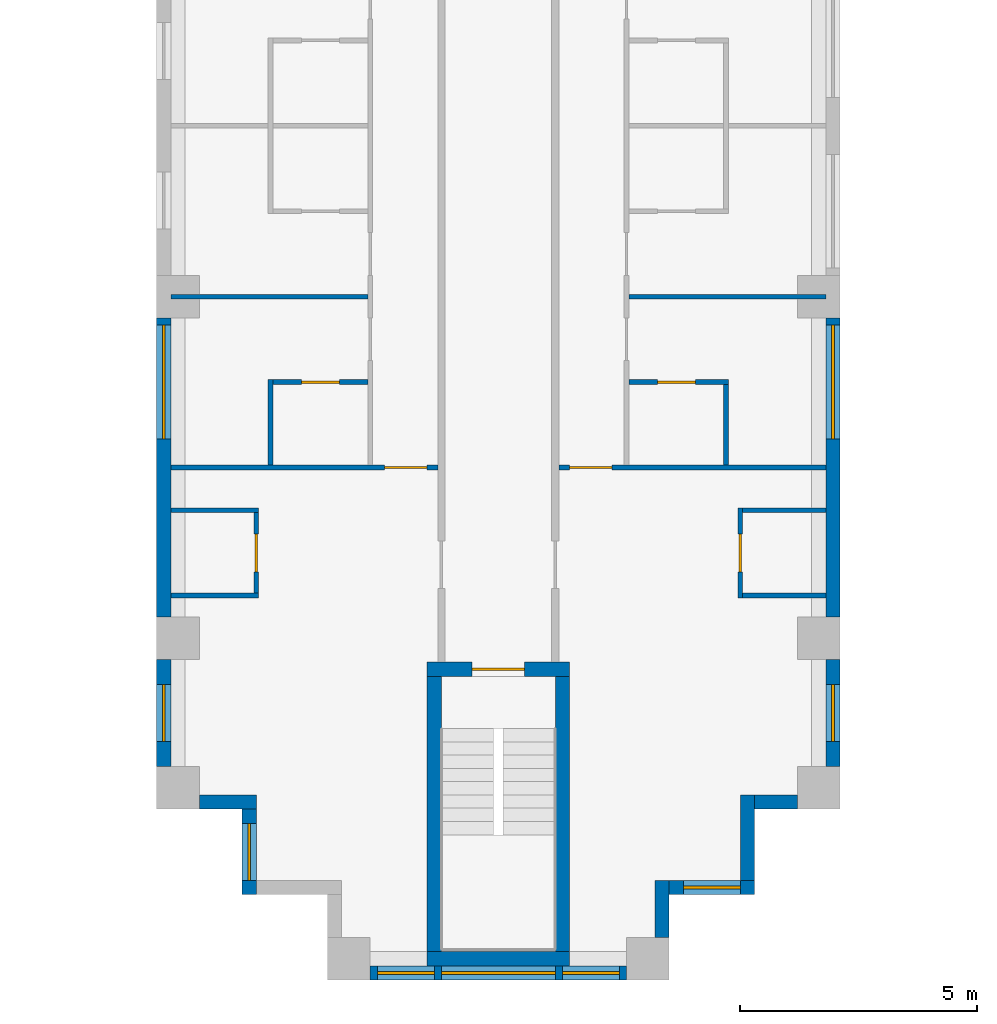
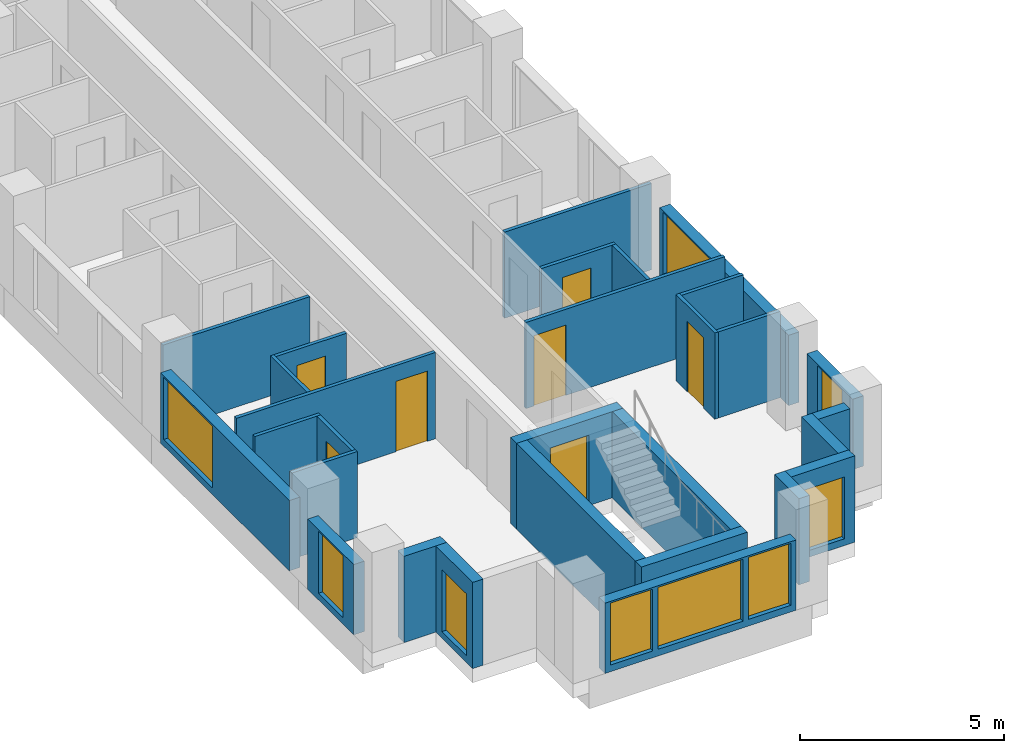
# One storey, part 3 of 14: 29 walls, 9 windows, 7 doors, 16 openings.
"""IFC4 building model written with IfcOpenShell, lengths in metres."""

from ifc_helpers import new_model, si_unit, direction, frame, frame_2d, origin, place, context, subcontext, project, spatial, rectangle, extrude, material, layer, layer_set, type_object, element, fill, save


model = new_model("IFC4")

# Units and contexts
model_context = context("Model", 3, precision=1e-05, world=origin(), true_north=direction((0.0, 1.0)))
body_context = subcontext(model_context, "Body", "Model", "MODEL_VIEW")
ifc_project = project(units=[si_unit("LENGTHUNIT", "METRE"), si_unit("AREAUNIT", "SQUARE_METRE"), si_unit("VOLUMEUNIT", "CUBIC_METRE"), si_unit("PLANEANGLEUNIT", "RADIAN"), si_unit("MASSUNIT", "GRAM", prefix="KILO")], contexts=[model_context])

# Site, building, storey
site_placement = place(None, origin())
site = spatial("IfcSite", under=ifc_project, at=site_placement, CompositionType="ELEMENT")
building_placement = place(site_placement, origin())
building = spatial("IfcBuilding", under=site, at=building_placement, Name="Fustian Cross Tower", CompositionType="ELEMENT")
storey_placement = place(building_placement, frame((0.0, 0.0, 93.89990234375)))
storey = spatial("IfcBuildingStorey", under=building, at=storey_placement, Name="L29", CompositionType="ELEMENT", Elevation=93.89990234375)

# Walls
ifc_material_1 = material(Name="Plasterboard on steel stud", Category="steel")
ifc_layer_1 = layer(ifc_material_1, 0.10009765625)
ifc_layer_set_1 = layer_set([ifc_layer_1], Name="Plasterboard on steel stud")
wall_type_1 = type_object("IfcWallType", Name="PARTITION 100 STUD", PredefinedType="PARTITIONING", material=ifc_layer_set_1)
for number, where, z_axis, x_axis, name in (
    (1, (-6.89990234375, -35.10009765625, 0.0), (0.0, 0.0, 1.0), (1.0, 0.0, 0.0), "Partition 15"),
    (2, (-6.89990234375, -33.300048828125, 0.0), (0.0, 0.0, 1.0), (1.0, 0.0, 0.0), "Partition 16"),
):
    element("IfcWall", number, at=place(storey_placement, frame(where, z_axis=z_axis, x_axis=x_axis)), inside=storey, type_object=wall_type_1, Name=name, PredefinedType="PARTITIONING", context=body_context, shape_type="SweptSolid", body=[
        extrude(rectangle(XDim=1.849853515625, YDim=0.10009765625, at=frame_2d((0.9248046875, 0.0))), origin(), (0.0, 0.0, 1.0), 2.5751953125),
    ])

# Wall, opening, door
wall_1_placement = place(storey_placement, frame((-6.89990234375, -32.39990234375, 0.0), z_axis=(0.0, 0.0, 1.0), x_axis=(1.0, 0.0, 0.0)))
wall_1 = element("IfcWall", 3, at=wall_1_placement, inside=storey, type_object=wall_type_1, Name="Partition 17", PredefinedType="PARTITIONING", context=body_context, shape_type="SweptSolid", body=[
    extrude(rectangle(XDim=5.625, YDim=0.10009765625, at=frame_2d((2.8125, 0.0))), origin(), (0.0, 0.0, 1.0), 2.5751953125),
])
opening_1_placement = place(wall_1_placement, frame((4.5, 0.0, 0.0)))
opening_1 = element("IfcOpeningElement", 4, at=opening_1_placement, cuts=wall_1, Name="Opening D14058", PredefinedType="OPENING", context=body_context, shape_type="SweptSolid", body=[
    extrude(rectangle(XDim=0.89990234375, YDim=2.10009765625, at=frame_2d((0.449951171875, 1.050048828125))), frame((0.0, 0.06005859375, 0.0), z_axis=(0.0, -1.0, 0.0), x_axis=(1.0, 0.0, 0.0)), (0.0, 0.0, 1.0), 0.1201171875),
])
ifc_material_2 = material(Name="Painted timber", Category="wood")
door_type_1 = type_object("IfcDoorType", Name="SWING DOOR 900", OperationType="SINGLE_SWING_LEFT", PredefinedType="DOOR", material=ifc_material_2)
door_1_placement = place(opening_1_placement, origin())
door_1 = element("IfcDoor", 5, at=door_1_placement, inside=storey, type_object=door_type_1, Name="Door D14058", OperationType="SINGLE_SWING_LEFT", OverallHeight=2.10009765625, OverallWidth=0.89990234375, PredefinedType="DOOR", context=body_context, shape_type="SweptSolid", body=[
    extrude(rectangle(XDim=0.89990234375, YDim=2.10009765625, at=frame_2d((0.449951171875, 1.050048828125))), frame((0.0, 0.02490234375, 0.0), z_axis=(0.0, -1.0, 0.0), x_axis=(1.0, 0.0, 0.0)), (0.0, 0.0, 1.0), 0.050048828125),
])
fill(opening_1, door_1)

# Wall
wall_2_placement = place(storey_placement, frame((-6.89990234375, -28.800048828125, 0.0), z_axis=(0.0, 0.0, 1.0), x_axis=(1.0, 0.0, 0.0)))
element("IfcWall", 6, at=wall_2_placement, inside=storey, type_object=wall_type_1, Name="Partition 18", PredefinedType="PARTITIONING", context=body_context, shape_type="SweptSolid", body=[
    extrude(rectangle(XDim=4.14990234375, YDim=0.10009765625, at=frame_2d((2.074951171875, 0.0))), origin(), (0.0, 0.0, 1.0), 2.5751953125),
])

# Wall, opening, door
wall_3_placement = place(storey_placement, frame((-5.10009765625, -35.050048828125, 0.0), z_axis=(0.0, 0.0, 1.0), x_axis=(0.0, 1.0, 0.0)))
wall_3 = element("IfcWall", 7, at=wall_3_placement, inside=storey, type_object=wall_type_1, Name="Partition 23", PredefinedType="PARTITIONING", context=body_context, shape_type="SweptSolid", body=[
    extrude(rectangle(XDim=1.699951171875, YDim=0.10009765625, at=frame_2d((0.85009765625, 0.0))), origin(), (0.0, 0.0, 1.0), 2.5751953125),
])
opening_2_placement = place(wall_3_placement, frame((0.449951171875, 0.0, 0.0)))
opening_2 = element("IfcOpeningElement", 8, at=opening_2_placement, cuts=wall_3, Name="Opening D14051", PredefinedType="OPENING", context=body_context, shape_type="SweptSolid", body=[
    extrude(rectangle(XDim=0.800048828125, YDim=2.10009765625, at=frame_2d((0.39990234375, 1.050048828125))), frame((0.0, 0.06005859375, 0.0), z_axis=(0.0, -1.0, 0.0), x_axis=(1.0, 0.0, 0.0)), (0.0, 0.0, 1.0), 0.1201171875),
])
ifc_material_3 = material(Name="Painted timber", Category="wood")
door_type_2 = type_object("IfcDoorType", Name="SWING DOOR 800", OperationType="SINGLE_SWING_LEFT", PredefinedType="DOOR", material=ifc_material_3)
door_2_placement = place(opening_2_placement, origin())
door_2 = element("IfcDoor", 9, at=door_2_placement, inside=storey, type_object=door_type_2, Name="Door D14051", OperationType="SINGLE_SWING_RIGHT", OverallHeight=2.10009765625, OverallWidth=0.800048828125, PredefinedType="DOOR", context=body_context, shape_type="SweptSolid", body=[
    extrude(rectangle(XDim=0.800048828125, YDim=2.10009765625, at=frame_2d((0.39990234375, 1.050048828125))), frame((0.0, 0.02490234375, 0.0), z_axis=(0.0, -1.0, 0.0), x_axis=(1.0, 0.0, 0.0)), (0.0, 0.0, 1.0), 0.050048828125),
])
fill(opening_2, door_2)

# Wall
wall_4_placement = place(storey_placement, frame((-4.800048828125, -32.35009765625, 0.0), z_axis=(0.0, 0.0, 1.0), x_axis=(0.0, 1.0, 0.0)))
element("IfcWall", 10, at=wall_4_placement, inside=storey, type_object=wall_type_1, Name="Partition 24", PredefinedType="PARTITIONING", context=body_context, shape_type="SweptSolid", body=[
    extrude(rectangle(XDim=1.800048828125, YDim=0.10009765625, at=frame_2d((0.89990234375, 0.0))), origin(), (0.0, 0.0, 1.0), 2.5751953125),
])

# Wall, opening, door
wall_5_placement = place(storey_placement, frame((-4.75, -30.60009765625, 0.0), z_axis=(0.0, 0.0, 1.0), x_axis=(1.0, 0.0, 0.0)))
wall_5 = element("IfcWall", 11, at=wall_5_placement, inside=storey, type_object=wall_type_1, Name="Partition 25", PredefinedType="PARTITIONING", context=body_context, shape_type="SweptSolid", body=[
    extrude(rectangle(XDim=2.0, YDim=0.10009765625, at=frame_2d((1.0, 0.0))), origin(), (0.0, 0.0, 1.0), 2.5751953125),
])
opening_3_placement = place(wall_5_placement, frame((0.60009765625, 0.0, 0.0)))
opening_3 = element("IfcOpeningElement", 12, at=opening_3_placement, cuts=wall_5, Name="Opening D14063", PredefinedType="OPENING", context=body_context, shape_type="SweptSolid", body=[
    extrude(rectangle(XDim=0.800048828125, YDim=2.10009765625, at=frame_2d((0.39990234375, 1.050048828125))), frame((0.0, 0.06005859375, 0.0), z_axis=(0.0, -1.0, 0.0), x_axis=(1.0, 0.0, 0.0)), (0.0, 0.0, 1.0), 0.1201171875),
])
door_3_placement = place(opening_3_placement, frame((0.800048828125, 0.0, 0.0), z_axis=(0.0, 0.0, 1.0), x_axis=(-1.0, 0.0, 0.0)))
door_3 = element("IfcDoor", 13, at=door_3_placement, inside=storey, type_object=door_type_2, Name="Door D14063", OperationType="SINGLE_SWING_RIGHT", OverallHeight=2.10009765625, OverallWidth=0.800048828125, PredefinedType="DOOR", context=body_context, shape_type="SweptSolid", body=[
    extrude(rectangle(XDim=0.800048828125, YDim=2.10009765625, at=frame_2d((0.39990234375, 1.050048828125))), frame((0.0, 0.02490234375, 0.0), z_axis=(0.0, -1.0, 0.0), x_axis=(1.0, 0.0, 0.0)), (0.0, 0.0, 1.0), 0.050048828125),
])
fill(opening_3, door_3)

wall_6_placement = place(storey_placement, frame((1.27490234375, -32.39990234375, 0.0), z_axis=(0.0, 0.0, 1.0), x_axis=(1.0, 0.0, 0.0)))
wall_6 = element("IfcWall", 14, at=wall_6_placement, inside=storey, type_object=wall_type_1, Name="Partition 44", PredefinedType="PARTITIONING", context=body_context, shape_type="SweptSolid", body=[
    extrude(rectangle(XDim=5.625, YDim=0.10009765625, at=frame_2d((2.8125, 0.0))), origin(), (0.0, 0.0, 1.0), 2.5751953125),
])
opening_4_placement = place(wall_6_placement, frame((0.22509765625, 0.0, 0.0)))
opening_4 = element("IfcOpeningElement", 15, at=opening_4_placement, cuts=wall_6, Name="Opening D14039", PredefinedType="OPENING", context=body_context, shape_type="SweptSolid", body=[
    extrude(rectangle(XDim=0.89990234375, YDim=2.10009765625, at=frame_2d((0.449951171875, 1.050048828125))), frame((0.0, 0.06005859375, 0.0), z_axis=(0.0, -1.0, 0.0), x_axis=(1.0, 0.0, 0.0)), (0.0, 0.0, 1.0), 0.1201171875),
])
door_4_placement = place(opening_4_placement, origin())
door_4 = element("IfcDoor", 16, at=door_4_placement, inside=storey, type_object=door_type_1, Name="Door D14039", OperationType="SINGLE_SWING_LEFT", OverallHeight=2.10009765625, OverallWidth=0.89990234375, PredefinedType="DOOR", context=body_context, shape_type="SweptSolid", body=[
    extrude(rectangle(XDim=0.89990234375, YDim=2.10009765625, at=frame_2d((0.449951171875, 1.050048828125))), frame((0.0, 0.02490234375, 0.0), z_axis=(0.0, -1.0, 0.0), x_axis=(1.0, 0.0, 0.0)), (0.0, 0.0, 1.0), 0.050048828125),
])
fill(opening_4, door_4)

wall_7_placement = place(storey_placement, frame((2.75, -30.60009765625, 0.0), z_axis=(0.0, 0.0, 1.0), x_axis=(1.0, 0.0, 0.0)))
wall_7 = element("IfcWall", 17, at=wall_7_placement, inside=storey, type_object=wall_type_1, Name="Partition 57", PredefinedType="PARTITIONING", context=body_context, shape_type="SweptSolid", body=[
    extrude(rectangle(XDim=2.10009765625, YDim=0.10009765625, at=frame_2d((1.050048828125, 0.0))), origin(), (0.0, 0.0, 1.0), 2.5751953125),
])
opening_5_placement = place(wall_7_placement, frame((0.60009765625, 0.0, 0.0)))
opening_5 = element("IfcOpeningElement", 18, at=opening_5_placement, cuts=wall_7, Name="Opening D14049", PredefinedType="OPENING", context=body_context, shape_type="SweptSolid", body=[
    extrude(rectangle(XDim=0.800048828125, YDim=2.10009765625, at=frame_2d((0.39990234375, 1.050048828125))), frame((0.0, 0.06005859375, 0.0), z_axis=(0.0, -1.0, 0.0), x_axis=(1.0, 0.0, 0.0)), (0.0, 0.0, 1.0), 0.1201171875),
])
door_5_placement = place(opening_5_placement, frame((0.800048828125, 0.0, 0.0), z_axis=(0.0, 0.0, 1.0), x_axis=(-1.0, 0.0, 0.0)))
door_5 = element("IfcDoor", 19, at=door_5_placement, inside=storey, type_object=door_type_2, Name="Door D14049", OperationType="SINGLE_SWING_RIGHT", OverallHeight=2.10009765625, OverallWidth=0.800048828125, PredefinedType="DOOR", context=body_context, shape_type="SweptSolid", body=[
    extrude(rectangle(XDim=0.800048828125, YDim=2.10009765625, at=frame_2d((0.39990234375, 1.050048828125))), frame((0.0, 0.02490234375, 0.0), z_axis=(0.0, -1.0, 0.0), x_axis=(1.0, 0.0, 0.0)), (0.0, 0.0, 1.0), 0.050048828125),
])
fill(opening_5, door_5)

# Walls
wall_8_placement = place(storey_placement, frame((2.75, -28.800048828125, 0.0), z_axis=(0.0, 0.0, 1.0), x_axis=(1.0, 0.0, 0.0)))
element("IfcWall", 20, at=wall_8_placement, inside=storey, type_object=wall_type_1, Name="Partition 58", PredefinedType="PARTITIONING", context=body_context, shape_type="SweptSolid", body=[
    extrude(rectangle(XDim=4.14990234375, YDim=0.10009765625, at=frame_2d((2.074951171875, 0.0))), origin(), (0.0, 0.0, 1.0), 2.5751953125),
])
wall_9_placement = place(storey_placement, frame((4.800048828125, -32.35009765625, 0.0), z_axis=(0.0, 0.0, 1.0), x_axis=(0.0, 1.0, 0.0)))
element("IfcWall", 21, at=wall_9_placement, inside=storey, type_object=wall_type_1, Name="Partition 69", PredefinedType="PARTITIONING", context=body_context, shape_type="SweptSolid", body=[
    extrude(rectangle(XDim=1.7001953125, YDim=0.10009765625, at=frame_2d((0.85009765625, 0.0))), origin(), (0.0, 0.0, 1.0), 2.5751953125),
])

# Wall, opening, door
wall_10_placement = place(storey_placement, frame((5.10009765625, -35.14990234375, 0.0), z_axis=(0.0, 0.0, 1.0), x_axis=(0.0, 1.0, 0.0)))
wall_10 = element("IfcWall", 22, at=wall_10_placement, inside=storey, type_object=wall_type_1, Name="Partition 73", PredefinedType="PARTITIONING", context=body_context, shape_type="SweptSolid", body=[
    extrude(rectangle(XDim=1.89990234375, YDim=0.10009765625, at=frame_2d((0.949951171875, 0.0))), origin(), (0.0, 0.0, 1.0), 2.5751953125),
])
opening_6_placement = place(wall_10_placement, frame((0.550048828125, 0.0, 0.0)))
opening_6 = element("IfcOpeningElement", 23, at=opening_6_placement, cuts=wall_10, Name="Opening D14037", PredefinedType="OPENING", context=body_context, shape_type="SweptSolid", body=[
    extrude(rectangle(XDim=0.800048828125, YDim=2.10009765625, at=frame_2d((0.39990234375, 1.050048828125))), frame((0.0, 0.06005859375, 0.0), z_axis=(0.0, -1.0, 0.0), x_axis=(1.0, 0.0, 0.0)), (0.0, 0.0, 1.0), 0.1201171875),
])
door_6_placement = place(opening_6_placement, frame((0.800048828125, 0.0, 0.0), z_axis=(0.0, 0.0, 1.0), x_axis=(-1.0, 0.0, 0.0)))
door_6 = element("IfcDoor", 24, at=door_6_placement, inside=storey, type_object=door_type_2, Name="Door D14037", OperationType="SINGLE_SWING_LEFT", OverallHeight=2.10009765625, OverallWidth=0.800048828125, PredefinedType="DOOR", context=body_context, shape_type="SweptSolid", body=[
    extrude(rectangle(XDim=0.800048828125, YDim=2.10009765625, at=frame_2d((0.39990234375, 1.050048828125))), frame((0.0, 0.02490234375, 0.0), z_axis=(0.0, -1.0, 0.0), x_axis=(1.0, 0.0, 0.0)), (0.0, 0.0, 1.0), 0.050048828125),
])
fill(opening_6, door_6)

# Walls
for number, where, z_axis, x_axis, name in (
    (25, (5.14990234375, -35.10009765625, 0.0), (0.0, 0.0, 1.0), (1.0, 0.0, 0.0), "Partition 74"),
    (26, (5.14990234375, -33.300048828125, 0.0), (0.0, 0.0, 1.0), (1.0, 0.0, 0.0), "Partition 75"),
):
    element("IfcWall", number, at=place(storey_placement, frame(where, z_axis=z_axis, x_axis=x_axis)), inside=storey, type_object=wall_type_1, Name=name, PredefinedType="PARTITIONING", context=body_context, shape_type="SweptSolid", body=[
        extrude(rectangle(XDim=1.75, YDim=0.10009765625, at=frame_2d((0.875, 0.0))), origin(), (0.0, 0.0, 1.0), 2.5751953125),
    ])

# Wall, opening, door
ifc_material_4 = material(Name="Concrete C50/60", Category="concrete")
ifc_layer_2 = layer(ifc_material_4, 0.300048828125)
ifc_layer_set_2 = layer_set([ifc_layer_2], Name="Concrete C50/60")
wall_type_2 = type_object("IfcWallType", Name="STAIR ENCLOSURE WALL 300 C50/60", PredefinedType="SHEAR", material=ifc_layer_set_2)
wall_11_placement = place(storey_placement, frame((-1.5, -36.64990234375, 0.0), z_axis=(0.0, 0.0, 1.0), x_axis=(1.0, 0.0, 0.0)))
wall_11 = element("IfcWall", 27, at=wall_11_placement, inside=storey, type_object=wall_type_2, Name="Stair enclosure wall", PredefinedType="SHEAR", context=body_context, shape_type="SweptSolid", body=[
    extrude(rectangle(XDim=3.0, YDim=0.300048828125, at=frame_2d((1.5, 0.0))), origin(), (0.0, 0.0, 1.0), 2.5751953125),
])
opening_7_placement = place(wall_11_placement, frame((0.949951171875, 0.0, 0.0)))
opening_7 = element("IfcOpeningElement", 28, at=opening_7_placement, cuts=wall_11, Name="Opening CD-09-29", PredefinedType="OPENING", context=body_context, shape_type="SweptSolid", body=[
    extrude(rectangle(XDim=1.10009765625, YDim=2.10009765625, at=frame_2d((0.550048828125, 1.050048828125))), frame((0.0, 0.159912109375, 0.0), z_axis=(0.0, -1.0, 0.0), x_axis=(1.0, 0.0, 0.0)), (0.0, 0.0, 1.0), 0.320068359375),
])
ifc_material_5 = material(Name="Steel", Category="steel")
door_type_3 = type_object("IfcDoorType", Name="FIRE DOOR FD60S 1100X2100", OperationType="SINGLE_SWING_LEFT", PredefinedType="DOOR", material=ifc_material_5)
door_7_placement = place(opening_7_placement, frame((1.10009765625, 0.0, 0.0), z_axis=(0.0, 0.0, 1.0), x_axis=(-1.0, 0.0, 0.0)))
door_7 = element("IfcDoor", 29, at=door_7_placement, inside=storey, type_object=door_type_3, Name="Core door CD-09-29", OperationType="SINGLE_SWING_RIGHT", OverallHeight=2.10009765625, OverallWidth=1.10009765625, PredefinedType="DOOR", context=body_context, shape_type="SweptSolid", body=[
    extrude(rectangle(XDim=1.10009765625, YDim=2.10009765625, at=frame_2d((0.550048828125, 1.050048828125))), frame((0.0, 0.02490234375, 0.0), z_axis=(0.0, -1.0, 0.0), x_axis=(1.0, 0.0, 0.0)), (0.0, 0.0, 1.0), 0.050048828125),
])
fill(opening_7, door_7)

# Walls
wall_12_placement = place(storey_placement, frame((-1.5, -42.75, 0.0), z_axis=(0.0, 0.0, 1.0), x_axis=(1.0, 0.0, 0.0)))
element("IfcWall", 30, at=wall_12_placement, inside=storey, type_object=wall_type_2, Name="Stair enclosure wall", PredefinedType="SHEAR", context=body_context, shape_type="SweptSolid", body=[
    extrude(rectangle(XDim=3.0, YDim=0.300048828125, at=frame_2d((1.5, 0.0))), origin(), (0.0, 0.0, 1.0), 2.5751953125),
])
for number, where, z_axis, x_axis, name in (
    (31, (-1.35009765625, -36.800048828125, 0.0), (0.0, 0.0, 1.0), (0.0, -1.0, 0.0), "Stair enclosure wall"),
    (32, (1.35009765625, -36.800048828125, 0.0), (0.0, 0.0, 1.0), (0.0, -1.0, 0.0), "Stair enclosure wall"),
):
    element("IfcWall", number, at=place(storey_placement, frame(where, z_axis=z_axis, x_axis=x_axis)), inside=storey, type_object=wall_type_2, Name=name, PredefinedType="SHEAR", context=body_context, shape_type="SweptSolid", body=[
        extrude(rectangle(XDim=5.800048828125, YDim=0.300048828125, at=frame_2d((2.89990234375, 0.0))), origin(), (0.0, 0.0, 1.0), 2.5751953125),
    ])

# Wall, opening, window
ifc_material_6 = material(Name="Dark aluminium cladding on insulated backing wall", Category="aluminium")
ifc_layer_3 = layer(ifc_material_6, 0.300048828125)
ifc_layer_set_3 = layer_set([ifc_layer_3], Name="Dark aluminium cladding on insulated backing wall")
wall_type_3 = type_object("IfcWallType", Name="XW1 EXTERNAL WALL 300", PredefinedType="SOLIDWALL", material=ifc_layer_set_3)
wall_13_placement = place(storey_placement, frame((-7.050048828125, -29.25, 0.0), z_axis=(0.0, 0.0, 1.0), x_axis=(0.0, -1.0, 0.0)))
wall_13 = element("IfcWall", 33, at=wall_13_placement, inside=storey, type_object=wall_type_3, Name="External wall", PredefinedType="SOLIDWALL", context=body_context, shape_type="SweptSolid", body=[
    extrude(rectangle(XDim=6.300048828125, YDim=0.300048828125, at=frame_2d((3.14990234375, 0.0))), origin(), (0.0, 0.0, 1.0), 2.10009765625),
])
opening_8_placement = place(wall_13_placement, frame((0.14990234375, 0.0, 0.199951171875)))
opening_8 = element("IfcOpeningElement", 34, at=opening_8_placement, cuts=wall_13, Name="Opening WN1", PredefinedType="OPENING", context=body_context, shape_type="SweptSolid", body=[
    extrude(rectangle(XDim=2.39990234375, YDim=1.85009765625, at=frame_2d((1.199951171875, 0.925048828125))), frame((0.0, 0.159912109375, 0.0), z_axis=(0.0, -1.0, 0.0), x_axis=(1.0, 0.0, 0.0)), (0.0, 0.0, 1.0), 0.320068359375),
])
ifc_material_7 = material(Name="Dark anodised aluminium and double glazing", Category="aluminium")
window_type_1 = type_object("IfcWindowType", Name="WN1 WINDOW 2400X1850", PartitioningType="SINGLE_PANEL", PredefinedType="WINDOW", material=ifc_material_7)
window_1_placement = place(opening_8_placement, origin())
window_1 = element("IfcWindow", 35, at=window_1_placement, inside=storey, type_object=window_type_1, Name="Window", OverallHeight=1.85009765625, OverallWidth=2.39990234375, PartitioningType="SINGLE_PANEL", PredefinedType="WINDOW", context=body_context, shape_type="SweptSolid", body=[
    extrude(rectangle(XDim=2.39990234375, YDim=1.85009765625, at=frame_2d((1.199951171875, 0.925048828125))), frame((0.0, 0.030029296875, 0.0), z_axis=(0.0, -1.0, 0.0), x_axis=(1.0, 0.0, 0.0)), (0.0, 0.0, 1.0), 0.06005859375),
])
fill(opening_8, window_1)

wall_14_placement = place(storey_placement, frame((-7.050048828125, -36.449951171875, 0.0), z_axis=(0.0, 0.0, 1.0), x_axis=(0.0, -1.0, 0.0)))
wall_14 = element("IfcWall", 36, at=wall_14_placement, inside=storey, type_object=wall_type_3, Name="External wall", PredefinedType="SOLIDWALL", context=body_context, shape_type="SweptSolid", body=[
    extrude(rectangle(XDim=2.25, YDim=0.300048828125, at=frame_2d((1.125, 0.0))), origin(), (0.0, 0.0, 1.0), 2.10009765625),
])
opening_9_placement = place(wall_14_placement, frame((0.52490234375, 0.0, 0.199951171875)))
opening_9 = element("IfcOpeningElement", 37, at=opening_9_placement, cuts=wall_14, Name="Opening WN3", PredefinedType="OPENING", context=body_context, shape_type="SweptSolid", body=[
    extrude(rectangle(XDim=1.199951171875, YDim=1.85009765625, at=frame_2d((0.60009765625, 0.925048828125))), frame((0.0, 0.159912109375, 0.0), z_axis=(0.0, -1.0, 0.0), x_axis=(1.0, 0.0, 0.0)), (0.0, 0.0, 1.0), 0.320068359375),
])
ifc_material_8 = material(Name="Dark anodised aluminium and double glazing", Category="aluminium")
window_type_2 = type_object("IfcWindowType", Name="WN3 WINDOW 1200X1850", PartitioningType="SINGLE_PANEL", PredefinedType="WINDOW", material=ifc_material_8)
window_2_placement = place(opening_9_placement, origin())
window_2 = element("IfcWindow", 38, at=window_2_placement, inside=storey, type_object=window_type_2, Name="Window", OverallHeight=1.85009765625, OverallWidth=1.199951171875, PartitioningType="SINGLE_PANEL", PredefinedType="WINDOW", context=body_context, shape_type="SweptSolid", body=[
    extrude(rectangle(XDim=1.199951171875, YDim=1.85009765625, at=frame_2d((0.60009765625, 0.925048828125))), frame((0.0, 0.030029296875, 0.0), z_axis=(0.0, -1.0, 0.0), x_axis=(1.0, 0.0, 0.0)), (0.0, 0.0, 1.0), 0.06005859375),
])
fill(opening_9, window_2)

# Wall
wall_15_placement = place(storey_placement, frame((-6.300048828125, -39.449951171875, 0.0), z_axis=(0.0, 0.0, 1.0), x_axis=(1.0, 0.0, 0.0)))
element("IfcWall", 39, at=wall_15_placement, inside=storey, type_object=wall_type_3, Name="External wall", PredefinedType="SOLIDWALL", context=body_context, shape_type="SweptSolid", body=[
    extrude(rectangle(XDim=1.199951171875, YDim=0.300048828125, at=frame_2d((0.60009765625, 0.0))), origin(), (0.0, 0.0, 1.0), 2.5751953125),
])

# Wall, opening, window
wall_16_placement = place(storey_placement, frame((-5.25, -39.60009765625, 0.0), z_axis=(0.0, 0.0, 1.0), x_axis=(0.0, -1.0, 0.0)))
wall_16 = element("IfcWall", 40, at=wall_16_placement, inside=storey, type_object=wall_type_3, Name="External wall", PredefinedType="SOLIDWALL", context=body_context, shape_type="SweptSolid", body=[
    extrude(rectangle(XDim=1.7998046875, YDim=0.300048828125, at=frame_2d((0.89990234375, 0.0))), origin(), (0.0, 0.0, 1.0), 2.5751953125),
])
opening_10_placement = place(wall_16_placement, frame((0.300048828125, 0.0, 0.199951171875)))
opening_10 = element("IfcOpeningElement", 41, at=opening_10_placement, cuts=wall_16, Name="Opening WN3", PredefinedType="OPENING", context=body_context, shape_type="SweptSolid", body=[
    extrude(rectangle(XDim=1.199951171875, YDim=1.85009765625, at=frame_2d((0.60009765625, 0.925048828125))), frame((0.0, 0.159912109375, 0.0), z_axis=(0.0, -1.0, 0.0), x_axis=(1.0, 0.0, 0.0)), (0.0, 0.0, 1.0), 0.320068359375),
])
window_3_placement = place(opening_10_placement, origin())
window_3 = element("IfcWindow", 42, at=window_3_placement, inside=storey, type_object=window_type_2, Name="Window", OverallHeight=1.85009765625, OverallWidth=1.199951171875, PartitioningType="SINGLE_PANEL", PredefinedType="WINDOW", context=body_context, shape_type="SweptSolid", body=[
    extrude(rectangle(XDim=1.199951171875, YDim=1.85009765625, at=frame_2d((0.60009765625, 0.925048828125))), frame((0.0, 0.030029296875, 0.0), z_axis=(0.0, -1.0, 0.0), x_axis=(1.0, 0.0, 0.0)), (0.0, 0.0, 1.0), 0.06005859375),
])
fill(opening_10, window_3)

# Wall, openings, windows
wall_17_placement = place(storey_placement, frame((-2.699951171875, -43.050048828125, 0.0), z_axis=(0.0, 0.0, 1.0), x_axis=(1.0, 0.0, 0.0)))
wall_17 = element("IfcWall", 43, at=wall_17_placement, inside=storey, type_object=wall_type_3, Name="External wall", PredefinedType="SOLIDWALL", context=body_context, shape_type="SweptSolid", body=[
    extrude(rectangle(XDim=5.39990234375, YDim=0.300048828125, at=frame_2d((2.699951171875, 0.0))), origin(), (0.0, 0.0, 1.0), 2.10009765625),
])
opening_11_placement = place(wall_17_placement, frame((1.5, 0.0, 0.199951171875)))
opening_11 = element("IfcOpeningElement", 44, at=opening_11_placement, cuts=wall_17, Name="Opening WN1", PredefinedType="OPENING", context=body_context, shape_type="SweptSolid", body=[
    extrude(rectangle(XDim=2.39990234375, YDim=1.85009765625, at=frame_2d((1.199951171875, 0.925048828125))), frame((0.0, 0.159912109375, 0.0), z_axis=(0.0, -1.0, 0.0), x_axis=(1.0, 0.0, 0.0)), (0.0, 0.0, 1.0), 0.320068359375),
])
opening_12_placement = place(wall_17_placement, frame((0.14990234375, 0.0, 0.199951171875)))
opening_12 = element("IfcOpeningElement", 45, at=opening_12_placement, cuts=wall_17, Name="Opening WN3", PredefinedType="OPENING", context=body_context, shape_type="SweptSolid", body=[
    extrude(rectangle(XDim=1.199951171875, YDim=1.85009765625, at=frame_2d((0.60009765625, 0.925048828125))), frame((0.0, 0.159912109375, 0.0), z_axis=(0.0, -1.0, 0.0), x_axis=(1.0, 0.0, 0.0)), (0.0, 0.0, 1.0), 0.320068359375),
])
opening_13_placement = place(wall_17_placement, frame((4.050048828125, 0.0, 0.199951171875)))
opening_13 = element("IfcOpeningElement", 46, at=opening_13_placement, cuts=wall_17, Name="Opening WN3", PredefinedType="OPENING", context=body_context, shape_type="SweptSolid", body=[
    extrude(rectangle(XDim=1.199951171875, YDim=1.85009765625, at=frame_2d((0.60009765625, 0.925048828125))), frame((0.0, 0.159912109375, 0.0), z_axis=(0.0, -1.0, 0.0), x_axis=(1.0, 0.0, 0.0)), (0.0, 0.0, 1.0), 0.320068359375),
])
window_4_placement = place(opening_11_placement, origin())
window_4 = element("IfcWindow", 47, at=window_4_placement, inside=storey, type_object=window_type_1, Name="Window", OverallHeight=1.85009765625, OverallWidth=2.39990234375, PartitioningType="SINGLE_PANEL", PredefinedType="WINDOW", context=body_context, shape_type="SweptSolid", body=[
    extrude(rectangle(XDim=2.39990234375, YDim=1.85009765625, at=frame_2d((1.199951171875, 0.925048828125))), frame((0.0, 0.030029296875, 0.0), z_axis=(0.0, -1.0, 0.0), x_axis=(1.0, 0.0, 0.0)), (0.0, 0.0, 1.0), 0.06005859375),
])
fill(opening_11, window_4)
window_5_placement = place(opening_12_placement, origin())
window_5 = element("IfcWindow", 48, at=window_5_placement, inside=storey, type_object=window_type_2, Name="Window", OverallHeight=1.85009765625, OverallWidth=1.199951171875, PartitioningType="SINGLE_PANEL", PredefinedType="WINDOW", context=body_context, shape_type="SweptSolid", body=[
    extrude(rectangle(XDim=1.199951171875, YDim=1.85009765625, at=frame_2d((0.60009765625, 0.925048828125))), frame((0.0, 0.030029296875, 0.0), z_axis=(0.0, -1.0, 0.0), x_axis=(1.0, 0.0, 0.0)), (0.0, 0.0, 1.0), 0.06005859375),
])
fill(opening_12, window_5)
window_6_placement = place(opening_13_placement, origin())
window_6 = element("IfcWindow", 49, at=window_6_placement, inside=storey, type_object=window_type_2, Name="Window", OverallHeight=1.85009765625, OverallWidth=1.199951171875, PartitioningType="SINGLE_PANEL", PredefinedType="WINDOW", context=body_context, shape_type="SweptSolid", body=[
    extrude(rectangle(XDim=1.199951171875, YDim=1.85009765625, at=frame_2d((0.60009765625, 0.925048828125))), frame((0.0, 0.030029296875, 0.0), z_axis=(0.0, -1.0, 0.0), x_axis=(1.0, 0.0, 0.0)), (0.0, 0.0, 1.0), 0.06005859375),
])
fill(opening_13, window_6)

# Wall
wall_18_placement = place(storey_placement, frame((3.449951171875, -42.300048828125, 0.0), z_axis=(0.0, 0.0, 1.0), x_axis=(0.0, 1.0, 0.0)))
element("IfcWall", 50, at=wall_18_placement, inside=storey, type_object=wall_type_3, Name="External wall", PredefinedType="SOLIDWALL", context=body_context, shape_type="SweptSolid", body=[
    extrude(rectangle(XDim=1.199951171875, YDim=0.300048828125, at=frame_2d((0.60009765625, 0.0))), origin(), (0.0, 0.0, 1.0), 2.5751953125),
])

# Wall, opening, window
wall_19_placement = place(storey_placement, frame((3.60009765625, -41.25, 0.0), z_axis=(0.0, 0.0, 1.0), x_axis=(1.0, 0.0, 0.0)))
wall_19 = element("IfcWall", 51, at=wall_19_placement, inside=storey, type_object=wall_type_3, Name="External wall", PredefinedType="SOLIDWALL", context=body_context, shape_type="SweptSolid", body=[
    extrude(rectangle(XDim=1.7998046875, YDim=0.300048828125, at=frame_2d((0.89990234375, 0.0))), origin(), (0.0, 0.0, 1.0), 2.5751953125),
])
opening_14_placement = place(wall_19_placement, frame((0.300048828125, 0.0, 0.199951171875)))
opening_14 = element("IfcOpeningElement", 52, at=opening_14_placement, cuts=wall_19, Name="Opening WN3", PredefinedType="OPENING", context=body_context, shape_type="SweptSolid", body=[
    extrude(rectangle(XDim=1.199951171875, YDim=1.85009765625, at=frame_2d((0.60009765625, 0.925048828125))), frame((0.0, 0.159912109375, 0.0), z_axis=(0.0, -1.0, 0.0), x_axis=(1.0, 0.0, 0.0)), (0.0, 0.0, 1.0), 0.320068359375),
])
window_7_placement = place(opening_14_placement, origin())
window_7 = element("IfcWindow", 53, at=window_7_placement, inside=storey, type_object=window_type_2, Name="Window", OverallHeight=1.85009765625, OverallWidth=1.199951171875, PartitioningType="SINGLE_PANEL", PredefinedType="WINDOW", context=body_context, shape_type="SweptSolid", body=[
    extrude(rectangle(XDim=1.199951171875, YDim=1.85009765625, at=frame_2d((0.60009765625, 0.925048828125))), frame((0.0, 0.030029296875, 0.0), z_axis=(0.0, -1.0, 0.0), x_axis=(1.0, 0.0, 0.0)), (0.0, 0.0, 1.0), 0.06005859375),
])
fill(opening_14, window_7)

# Walls
wall_20_placement = place(storey_placement, frame((5.25, -41.10009765625, 0.0), z_axis=(0.0, 0.0, 1.0), x_axis=(0.0, 1.0, 0.0)))
element("IfcWall", 54, at=wall_20_placement, inside=storey, type_object=wall_type_3, Name="External wall", PredefinedType="SOLIDWALL", context=body_context, shape_type="SweptSolid", body=[
    extrude(rectangle(XDim=1.800048828125, YDim=0.300048828125, at=frame_2d((0.89990234375, 0.0))), origin(), (0.0, 0.0, 1.0), 2.5751953125),
])
wall_21_placement = place(storey_placement, frame((5.39990234375, -39.449951171875, 0.0), z_axis=(0.0, 0.0, 1.0), x_axis=(1.0, 0.0, 0.0)))
element("IfcWall", 55, at=wall_21_placement, inside=storey, type_object=wall_type_3, Name="External wall", PredefinedType="SOLIDWALL", context=body_context, shape_type="SweptSolid", body=[
    extrude(rectangle(XDim=0.900146484375, YDim=0.300048828125, at=frame_2d((0.4501953125, 0.0))), origin(), (0.0, 0.0, 1.0), 2.5751953125),
])

# Wall, opening, window
wall_22_placement = place(storey_placement, frame((7.050048828125, -38.699951171875, 0.0), z_axis=(0.0, 0.0, 1.0), x_axis=(0.0, 1.0, 0.0)))
wall_22 = element("IfcWall", 56, at=wall_22_placement, inside=storey, type_object=wall_type_3, Name="External wall", PredefinedType="SOLIDWALL", context=body_context, shape_type="SweptSolid", body=[
    extrude(rectangle(XDim=2.25, YDim=0.300048828125, at=frame_2d((1.125, 0.0))), origin(), (0.0, 0.0, 1.0), 2.10009765625),
])
opening_15_placement = place(wall_22_placement, frame((0.52490234375, 0.0, 0.199951171875)))
opening_15 = element("IfcOpeningElement", 57, at=opening_15_placement, cuts=wall_22, Name="Opening WN3", PredefinedType="OPENING", context=body_context, shape_type="SweptSolid", body=[
    extrude(rectangle(XDim=1.199951171875, YDim=1.85009765625, at=frame_2d((0.60009765625, 0.925048828125))), frame((0.0, 0.159912109375, 0.0), z_axis=(0.0, -1.0, 0.0), x_axis=(1.0, 0.0, 0.0)), (0.0, 0.0, 1.0), 0.320068359375),
])
window_8_placement = place(opening_15_placement, origin())
window_8 = element("IfcWindow", 58, at=window_8_placement, inside=storey, type_object=window_type_2, Name="Window", OverallHeight=1.85009765625, OverallWidth=1.199951171875, PartitioningType="SINGLE_PANEL", PredefinedType="WINDOW", context=body_context, shape_type="SweptSolid", body=[
    extrude(rectangle(XDim=1.199951171875, YDim=1.85009765625, at=frame_2d((0.60009765625, 0.925048828125))), frame((0.0, 0.030029296875, 0.0), z_axis=(0.0, -1.0, 0.0), x_axis=(1.0, 0.0, 0.0)), (0.0, 0.0, 1.0), 0.06005859375),
])
fill(opening_15, window_8)

wall_23_placement = place(storey_placement, frame((7.050048828125, -35.550048828125, 0.0), z_axis=(0.0, 0.0, 1.0), x_axis=(0.0, 1.0, 0.0)))
wall_23 = element("IfcWall", 59, at=wall_23_placement, inside=storey, type_object=wall_type_3, Name="External wall", PredefinedType="SOLIDWALL", context=body_context, shape_type="SweptSolid", body=[
    extrude(rectangle(XDim=6.300048828125, YDim=0.300048828125, at=frame_2d((3.14990234375, 0.0))), origin(), (0.0, 0.0, 1.0), 2.10009765625),
])
opening_16_placement = place(wall_23_placement, frame((3.75, 0.0, 0.199951171875)))
opening_16 = element("IfcOpeningElement", 60, at=opening_16_placement, cuts=wall_23, Name="Opening WN1", PredefinedType="OPENING", context=body_context, shape_type="SweptSolid", body=[
    extrude(rectangle(XDim=2.39990234375, YDim=1.85009765625, at=frame_2d((1.199951171875, 0.925048828125))), frame((0.0, 0.159912109375, 0.0), z_axis=(0.0, -1.0, 0.0), x_axis=(1.0, 0.0, 0.0)), (0.0, 0.0, 1.0), 0.320068359375),
])
window_9_placement = place(opening_16_placement, origin())
window_9 = element("IfcWindow", 61, at=window_9_placement, inside=storey, type_object=window_type_1, Name="Window", OverallHeight=1.85009765625, OverallWidth=2.39990234375, PartitioningType="SINGLE_PANEL", PredefinedType="WINDOW", context=body_context, shape_type="SweptSolid", body=[
    extrude(rectangle(XDim=2.39990234375, YDim=1.85009765625, at=frame_2d((1.199951171875, 0.925048828125))), frame((0.0, 0.030029296875, 0.0), z_axis=(0.0, -1.0, 0.0), x_axis=(1.0, 0.0, 0.0)), (0.0, 0.0, 1.0), 0.06005859375),
])
fill(opening_16, window_9)

save(model, "model.ifc")
